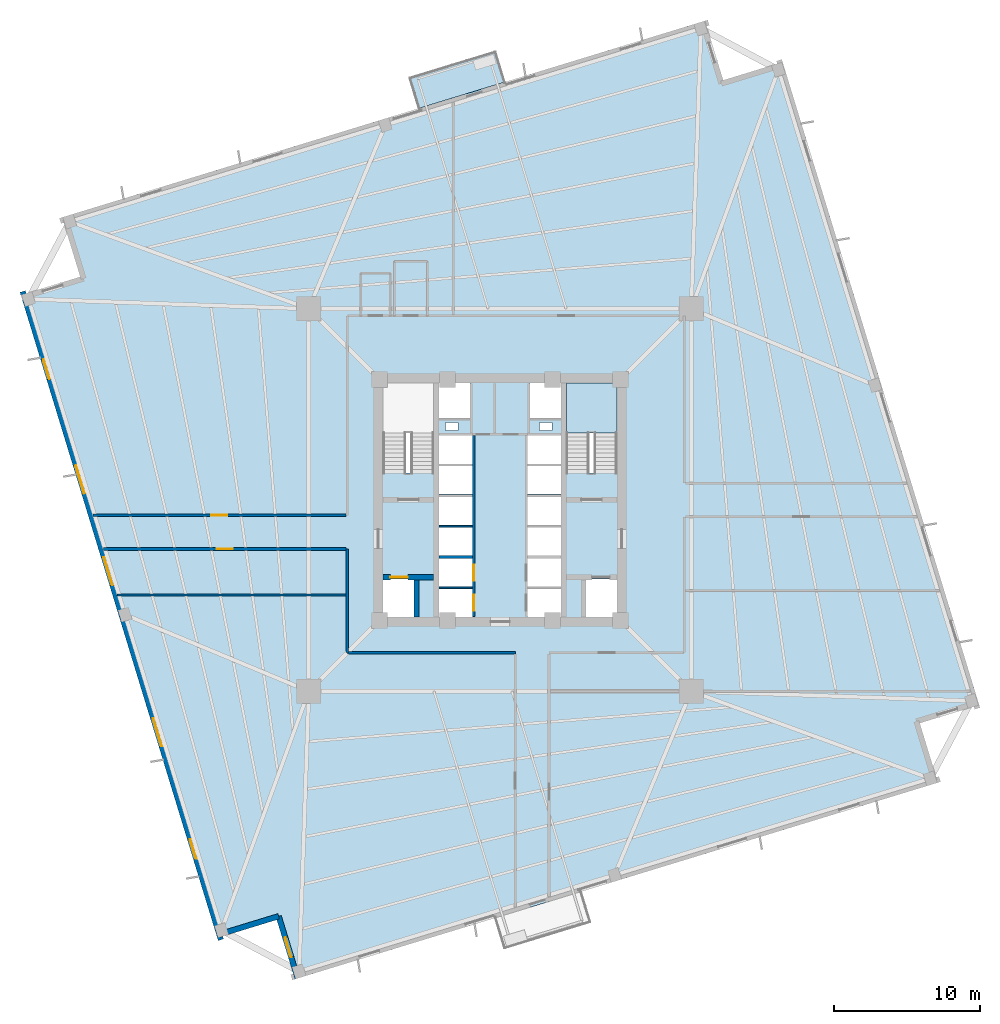
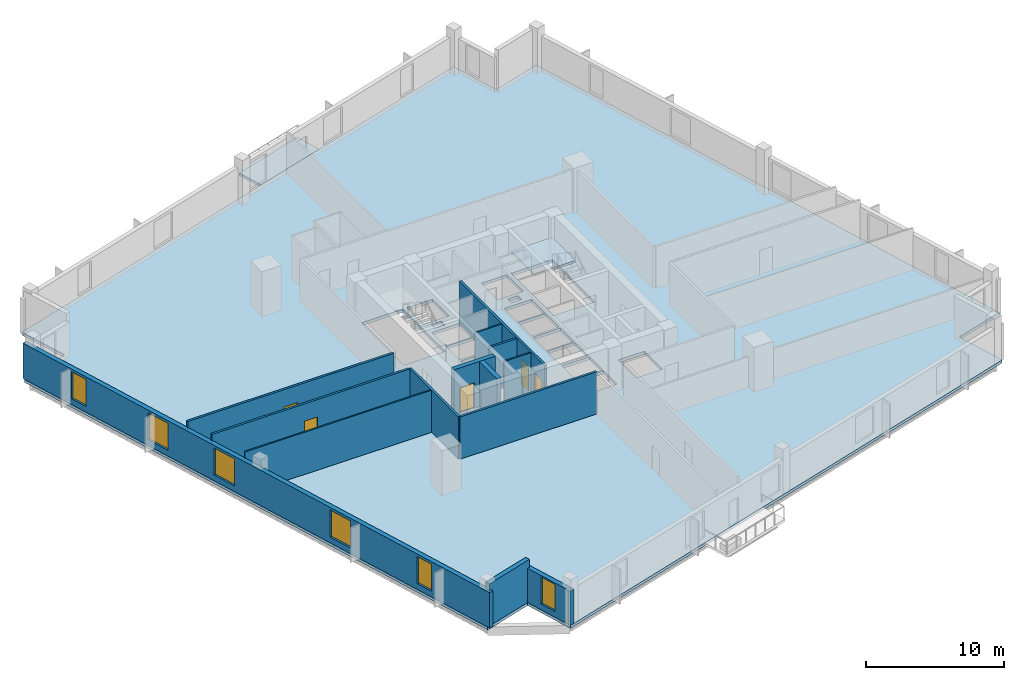
# One storey, part 2 of 8: 14 walls, 6 windows, 5 doors, 3 slabs, 11 openings, 1 element without a shape of its own.
"""IFC4 building model written with IfcOpenShell, lengths in metres."""

from ifc_helpers import new_model, si_unit, direction, frame, frame_2d, origin, place, context, subcontext, project, spatial, polyline, rectangle, outline, extrude, source, transform, mapped, material, layer, layer_set, type_object, element, fill, aggregate, save


model = new_model("IFC4")

# Units and contexts
model_context = context("Model", 3, precision=1e-05, world=origin(), true_north=direction((0.0, 1.0)))
body_context = subcontext(model_context, "Body", "Model", "MODEL_VIEW")
ifc_project = project(units=[si_unit("LENGTHUNIT", "METRE"), si_unit("AREAUNIT", "SQUARE_METRE"), si_unit("VOLUMEUNIT", "CUBIC_METRE"), si_unit("PLANEANGLEUNIT", "RADIAN"), si_unit("MASSUNIT", "GRAM", prefix="KILO"), si_unit("THERMODYNAMICTEMPERATUREUNIT", "KELVIN")], contexts=[model_context])

# Site, building, storey
site_placement = place(None, origin())
site = spatial("IfcSite", under=ifc_project, at=site_placement, CompositionType="ELEMENT")
building_placement = place(site_placement, origin())
building = spatial("IfcBuilding", under=site, at=building_placement, Name="Kosmvard Interchange Tower", CompositionType="ELEMENT")
storey_placement = place(building_placement, frame((0.0, 0.0, 103.199951171875)))
storey = spatial("IfcBuildingStorey", under=building, at=storey_placement, Name="L24", CompositionType="ELEMENT", Elevation=103.199951171875)

# Slab
ifc_material_1 = material(Name="Concrete C50/60", Category="concrete")
ifc_layer_1 = layer(ifc_material_1, 0.260009765625, Name="Concrete C50/60")
ifc_layer_set_1 = layer_set([ifc_layer_1], Name="Concrete C50/60")
slab_type_1 = type_object("IfcSlabType", Name="Mid-Rise Office Composite Slab 260 C50/60", PredefinedType="FLOOR", material=ifc_layer_set_1)
slab_1_placement = place(storey_placement, frame((0.0, 0.0, -0.260009765625)))
element("IfcSlab", 1, at=slab_1_placement, inside=storey, type_object=slab_type_1, Name="L24 Structural Floor Slab", PredefinedType="FLOOR", context=body_context, shape_type="SweptSolid", body=[
    extrude(outline(polyline([(-14.02783203125, -32.783935546875), (29.962158203125, -19.334716796875), (28.719482421875, -15.2705078125), (32.783935546875, -14.02783203125), (19.334716796875, 29.962158203125), (15.2705078125, 28.719482421875), (14.02783203125, 32.783935546875), (-29.962158203125, 19.334716796875), (-28.719482421875, 15.2705078125), (-32.783935546875, 14.02783203125), (-19.334716796875, -29.962158203125), (-15.2705078125, -28.719482421875), (-14.02783203125, -32.783935546875)]), holes=[polyline([(-8.0, 1.8349609375), (-4.5400390625, 1.8349609375), (-4.5400390625, 8.0), (-8.0, 8.0), (-8.0, 1.8349609375)]), polyline([(4.5400390625, 1.8349609375), (8.0, 1.8349609375), (8.0, 8.0), (4.5400390625, 8.0), (4.5400390625, 1.8349609375)]), polyline([(-8.0, -8.0), (-5.800048828125, -8.0), (-5.800048828125, -5.39990234375), (-8.0, -5.39990234375), (-8.0, -8.0)]), polyline([(5.800048828125, -8.0), (8.0, -8.0), (8.0, -5.39990234375), (5.800048828125, -5.39990234375), (5.800048828125, -8.0)]), polyline([(-4.179931640625, -8.0), (-1.8798828125, -8.0), (-1.8798828125, -6.06005859375), (-4.179931640625, -6.06005859375), (-4.179931640625, -8.0)]), polyline([(-4.179931640625, -5.93994140625), (-1.8798828125, -5.93994140625), (-1.8798828125, -4.0), (-4.179931640625, -4.0), (-4.179931640625, -5.93994140625)]), polyline([(1.8798828125, -8.0), (4.179931640625, -8.0), (4.179931640625, -6.06005859375), (1.8798828125, -6.06005859375), (1.8798828125, -8.0)]), polyline([(1.8798828125, -5.93994140625), (4.179931640625, -5.93994140625), (4.179931640625, -4.0), (1.8798828125, -4.0), (1.8798828125, -5.93994140625)]), polyline([(-4.179931640625, -3.800048828125), (-1.8798828125, -3.800048828125), (-1.8798828125, -1.860107421875), (-4.179931640625, -1.860107421875), (-4.179931640625, -3.800048828125)]), polyline([(-4.179931640625, -1.739990234375), (-1.8798828125, -1.739990234375), (-1.8798828125, 0.199951171875), (-4.179931640625, 0.199951171875), (-4.179931640625, -1.739990234375)]), polyline([(1.8798828125, -3.800048828125), (4.179931640625, -3.800048828125), (4.179931640625, -1.860107421875), (1.8798828125, -1.860107421875), (1.8798828125, -3.800048828125)]), polyline([(1.8798828125, -1.739990234375), (4.179931640625, -1.739990234375), (4.179931640625, 0.199951171875), (1.8798828125, 0.199951171875), (1.8798828125, -1.739990234375)]), polyline([(-4.179931640625, 0.39990234375), (-1.8798828125, 0.39990234375), (-1.8798828125, 2.340087890625), (-4.179931640625, 2.340087890625), (-4.179931640625, 0.39990234375)]), polyline([(-4.179931640625, 2.4599609375), (-1.8798828125, 2.4599609375), (-1.8798828125, 4.39990234375), (-4.179931640625, 4.39990234375), (-4.179931640625, 2.4599609375)]), polyline([(1.8798828125, 0.39990234375), (4.179931640625, 0.39990234375), (4.179931640625, 2.340087890625), (1.8798828125, 2.340087890625), (1.8798828125, 0.39990234375)]), polyline([(1.8798828125, 2.4599609375), (4.179931640625, 2.4599609375), (4.179931640625, 4.39990234375), (1.8798828125, 4.39990234375), (1.8798828125, 2.4599609375)]), polyline([(-4.179931640625, 5.60009765625), (-2.0400390625, 5.60009765625), (-2.0400390625, 8.0), (-4.179931640625, 8.0), (-4.179931640625, 5.60009765625)]), polyline([(2.0400390625, 5.60009765625), (4.179931640625, 5.60009765625), (4.179931640625, 8.0), (2.0400390625, 8.0), (2.0400390625, 5.60009765625)]), polyline([(-3.715087890625, 4.739990234375), (-2.864990234375, 4.739990234375), (-2.864990234375, 5.2900390625), (-3.715087890625, 5.2900390625), (-3.715087890625, 4.739990234375)]), polyline([(2.715087890625, 4.739990234375), (3.56494140625, 4.739990234375), (3.56494140625, 5.2900390625), (2.715087890625, 5.2900390625), (2.715087890625, 4.739990234375)])]), origin(), (0.0, 0.0, 1.0), 0.260009765625),
])

# Stair, slab
stair_type = type_object("IfcStairType", Name="Dog-Leg Core Exit Stair H4000 C50/60", PredefinedType="HALF_TURN_STAIR", material=ifc_material_1)
stair_placement = place(storey_placement, origin())
stair = element("IfcStair", 2, at=stair_placement, inside=storey, type_object=stair_type, Name="L24 Protected Exit Stair ST-2", PredefinedType="HALF_TURN_STAIR")
ifc_layer_2 = layer(ifc_material_1, 0.199951171875, Name="Concrete C50/60")
ifc_layer_set_2 = layer_set([ifc_layer_2], Name="Concrete C50/60")
slab_type_2 = type_object("IfcSlabType", Name="Stair Half-Landing Slab 200 C50/60", PredefinedType="LANDING", material=ifc_layer_set_2)
slab_2_placement = place(storey_placement, frame((0.0, 0.0, 1.800048828125)))
slab_2 = element("IfcSlab", 3, at=slab_2_placement, type_object=slab_type_2, Name="ST-2 landing 1", PredefinedType="LANDING", context=body_context, shape_type="SweptSolid", body=[
    extrude(outline(polyline([(8.0, 4.60009765625), (8.0, 8.0), (4.5400390625, 8.0), (4.5400390625, 4.60009765625), (8.0, 4.60009765625)])), origin(), (0.0, 0.0, 1.0), 0.199951171875),
])
aggregate(stair, [slab_2])

# Slab
ifc_layer_3 = layer(ifc_material_1, 0.22998046875, Name="Concrete C50/60")
ifc_layer_set_3 = layer_set([ifc_layer_3], Name="Concrete C50/60")
slab_type_3 = type_object("IfcSlabType", Name="Tree-Planter Cantilever Balcony Slab 230 C50/60", PredefinedType="FLOOR", material=ifc_layer_set_3)
slab_3_placement = place(storey_placement, frame((0.0, 0.0, -0.22998046875)))
element("IfcSlab", 4, at=slab_3_placement, inside=storey, type_object=slab_type_3, Name="L24 Outdoor Terrace Balcony Slab BAL-L24-N", PredefinedType="FLOOR", context=body_context, shape_type="SweptSolid", body=[
    extrude(outline(polyline([(-5.576416015625, 26.790283203125), (0.352783203125, 28.60302734375), (-0.29052734375, 30.706787109375), (-6.219482421875, 28.89404296875), (-5.576416015625, 26.790283203125)])), origin(), (0.0, 0.0, 1.0), 0.22998046875),
])

# Wall, openings, doors
ifc_material_2 = material(Name="Fire-rated gypsum partition system")
ifc_layer_4 = layer(ifc_material_2, 0.179931640625, Name="Fire-rated gypsum partition system")
ifc_layer_set_4 = layer_set([ifc_layer_4], Name="Fire-rated gypsum partition system")
wall_type_1 = type_object("IfcWallType", Name="Corridor & Hotel Compartment Partition 180", PredefinedType="PARTITIONING", material=ifc_layer_set_4)
wall_1_placement = place(storey_placement, frame((-1.7900390625, -7.97998046875, 0.0), z_axis=(0.0, 0.0, 1.0), x_axis=(0.0, 1.0, 0.0)))
wall_1 = element("IfcWall", 5, at=wall_1_placement, inside=storey, type_object=wall_type_1, Name="L24 West Lift Bank Front Wall", PredefinedType="PARTITIONING", context=body_context, shape_type="SweptSolid", body=[
    extrude(rectangle(XDim=12.3798828125, YDim=0.179931640625, at=frame_2d((6.18994140625, 0.0))), origin(), (0.0, 0.0, 1.0), 3.739990234375),
])
opening_1_placement = place(wall_1_placement, frame((0.39990234375, 0.0, 0.0)))
opening_1 = element("IfcOpeningElement", 6, at=opening_1_placement, cuts=wall_1, Name="Opening LD-PL-L1-L24", PredefinedType="OPENING", context=body_context, shape_type="SweptSolid", body=[
    extrude(rectangle(XDim=1.10009765625, YDim=2.199951171875, at=frame_2d((0.550048828125, 1.10009765625))), frame((0.0, 0.10009765625, 0.0), z_axis=(0.0, -1.0, 0.0), x_axis=(1.0, 0.0, 0.0)), (0.0, 0.0, 1.0), 0.199951171875),
])
opening_2_placement = place(wall_1_placement, frame((2.4599609375, 0.0, 0.0)))
opening_2 = element("IfcOpeningElement", 7, at=opening_2_placement, cuts=wall_1, Name="Opening LD-PL-L2-L24", PredefinedType="OPENING", context=body_context, shape_type="SweptSolid", body=[
    extrude(rectangle(XDim=1.10009765625, YDim=2.199951171875, at=frame_2d((0.550048828125, 1.10009765625))), frame((0.0, 0.10009765625, 0.0), z_axis=(0.0, -1.0, 0.0), x_axis=(1.0, 0.0, 0.0)), (0.0, 0.0, 1.0), 0.199951171875),
])
ifc_material_3 = material(Name="Brushed stainless steel sliding leaf", Category="steel")
door_type_1 = type_object("IfcDoorType", Name="Passenger Lift Sliding Landing Door 1100x2200 EI60", OperationType="DOUBLE_DOOR_SLIDING", PredefinedType="DOOR", material=ifc_material_3)
shared_shape_1 = source(origin(), body_context, "Body", "SweptSolid", [
    extrude(rectangle(XDim=1.10009765625, YDim=2.199951171875, at=frame_2d((0.550048828125, 1.10009765625))), frame((0.0, 0.02490234375, 0.0), z_axis=(0.0, -1.0, 0.0), x_axis=(1.0, 0.0, 0.0)), (0.0, 0.0, 1.0), 0.050048828125),
])
door_1_placement = place(opening_1_placement, frame((1.10009765625, 0.0, 0.0), z_axis=(0.0, 0.0, 1.0), x_axis=(-1.0, 0.0, 0.0)))
door_1 = element("IfcDoor", 8, at=door_1_placement, inside=storey, type_object=door_type_1, Name="Lift PL-L1 Landing Door L24", OperationType="DOUBLE_DOOR_SLIDING", OverallHeight=2.199951171875, OverallWidth=1.10009765625, PredefinedType="DOOR", context=body_context, shape_type="MappedRepresentation", body=[
    mapped(shared_shape_1, transform((0.0, 0.0, 0.0), scale=1.0)),
])
fill(opening_1, door_1)
door_2_placement = place(opening_2_placement, frame((1.10009765625, 0.0, 0.0), z_axis=(0.0, 0.0, 1.0), x_axis=(-1.0, 0.0, 0.0)))
door_2 = element("IfcDoor", 9, at=door_2_placement, inside=storey, type_object=door_type_1, Name="Lift PL-L2 Landing Door L24", OperationType="DOUBLE_DOOR_SLIDING", OverallHeight=2.199951171875, OverallWidth=1.10009765625, PredefinedType="DOOR", context=body_context, shape_type="MappedRepresentation", body=[
    mapped(shared_shape_1, transform((0.0, 0.0, 0.0), scale=1.0)),
])
fill(opening_2, door_2)

# Walls
wall_2_placement = place(storey_placement, frame((-10.449951171875, -10.449951171875, 0.0), z_axis=(0.0, 0.0, 1.0), x_axis=(1.0, 0.0, 0.0)))
element("IfcWall", 10, at=wall_2_placement, inside=storey, type_object=wall_type_1, Name="L24 Corridor Wall CSW", PredefinedType="PARTITIONING", context=body_context, shape_type="SweptSolid", body=[
    extrude(rectangle(XDim=11.5, YDim=0.179931640625, at=frame_2d((5.75, 0.0))), origin(), (0.0, 0.0, 1.0), 3.739990234375),
])
wall_3_placement = place(storey_placement, frame((-10.449951171875, -10.449951171875, 0.0), z_axis=(0.0, 0.0, 1.0), x_axis=(0.0, 1.0, 0.0)))
element("IfcWall", 11, at=wall_3_placement, inside=storey, type_object=wall_type_1, Name="L24 Corridor Wall CWS", PredefinedType="PARTITIONING", context=body_context, shape_type="SweptSolid", body=[
    extrude(rectangle(XDim=7.099853515625, YDim=0.179931640625, at=frame_2d((3.5498046875, 0.0))), origin(), (0.0, 0.0, 1.0), 3.739990234375),
])

# Wall, opening, door
wall_4_placement = place(storey_placement, frame((-27.1416015625, -3.35009765625, 0.0), z_axis=(0.0, 0.0, 1.0), x_axis=(1.0, 0.0, 0.0)))
wall_4 = element("IfcWall", 12, at=wall_4_placement, inside=storey, type_object=wall_type_1, Name="L24 Corridor Wall SWS", PredefinedType="PARTITIONING", context=body_context, shape_type="SweptSolid", body=[
    extrude(rectangle(XDim=16.591552734375, YDim=0.179931640625, at=frame_2d((8.2958984375, 0.0))), origin(), (0.0, 0.0, 1.0), 3.739990234375),
])
opening_3_placement = place(wall_4_placement, frame((7.745849609375, 0.0, 0.0)))
opening_3 = element("IfcOpeningElement", 13, at=opening_3_placement, cuts=wall_4, Name="Opening L24-D08", PredefinedType="OPENING", context=body_context, shape_type="SweptSolid", body=[
    extrude(rectangle(XDim=1.10009765625, YDim=2.199951171875, at=frame_2d((0.550048828125, 1.10009765625))), frame((0.0, 0.10009765625, 0.0), z_axis=(0.0, -1.0, 0.0), x_axis=(1.0, 0.0, 0.0)), (0.0, 0.0, 1.0), 0.199951171875),
])
ifc_material_4 = material(Name="Engineered oak fire-rated timber", Category="wood")
door_type_2 = type_object("IfcDoorType", Name="Office Suite Entrance Door 1100x2200 FD30S", OperationType="NOTDEFINED", PredefinedType="DOOR", material=ifc_material_4)
door_3_placement = place(opening_3_placement, frame((1.10009765625, 0.0, 0.0), z_axis=(0.0, 0.0, 1.0), x_axis=(-1.0, 0.0, 0.0)))
door_3 = element("IfcDoor", 14, at=door_3_placement, inside=storey, type_object=door_type_2, Name="L24 West Boardroom 4 Door", OperationType="SINGLE_SWING_RIGHT", OverallHeight=2.199951171875, OverallWidth=1.10009765625, PredefinedType="DOOR", context=body_context, shape_type="MappedRepresentation", body=[
    mapped(shared_shape_1, transform((0.0, 0.0, 0.0), scale=1.0)),
])
fill(opening_3, door_3)

wall_5_placement = place(storey_placement, frame((-27.8447265625, -1.050048828125, 0.0), z_axis=(0.0, 0.0, 1.0), x_axis=(1.0, 0.0, 0.0)))
wall_5 = element("IfcWall", 15, at=wall_5_placement, inside=storey, type_object=wall_type_1, Name="L24 Corridor Wall SWN", PredefinedType="PARTITIONING", context=body_context, shape_type="SweptSolid", body=[
    extrude(rectangle(XDim=17.294677734375, YDim=0.179931640625, at=frame_2d((8.6474609375, 0.0))), origin(), (0.0, 0.0, 1.0), 3.739990234375),
])
opening_4_placement = place(wall_5_placement, frame((8.097412109375, 0.0, 0.0)))
opening_4 = element("IfcOpeningElement", 16, at=opening_4_placement, cuts=wall_5, Name="Opening L24-D03", PredefinedType="OPENING", context=body_context, shape_type="SweptSolid", body=[
    extrude(rectangle(XDim=1.10009765625, YDim=2.199951171875, at=frame_2d((0.550048828125, 1.10009765625))), frame((0.0, 0.10009765625, 0.0), z_axis=(0.0, -1.0, 0.0), x_axis=(1.0, 0.0, 0.0)), (0.0, 0.0, 1.0), 0.199951171875),
])
door_4_placement = place(opening_4_placement, origin())
door_4 = element("IfcDoor", 17, at=door_4_placement, inside=storey, type_object=door_type_2, Name="L24 North-West Strategy Conference Room 1 Door", OperationType="SINGLE_SWING_LEFT", OverallHeight=2.199951171875, OverallWidth=1.10009765625, PredefinedType="DOOR", context=body_context, shape_type="MappedRepresentation", body=[
    mapped(shared_shape_1, transform((0.0, 0.0, 0.0), scale=1.0)),
])
fill(opening_4, door_4)

# Wall, openings, windows
ifc_material_5 = material(Name="Precast concrete C45/55", Category="concrete")
ifc_layer_5 = layer(ifc_material_5, 0.3798828125, Name="Precast concrete C45/55")
ifc_layer_set_5 = layer_set([ifc_layer_5], Name="Precast concrete C45/55")
wall_type_2 = type_object("IfcWallType", Name="Lower Tower Precast Pier Wall 380 C45/55", PredefinedType="STANDARD", material=ifc_layer_set_5)
wall_6_placement = place(storey_placement, frame((-32.65771484375, 14.26513671875, 0.0), z_axis=(0.0, 0.0, 1.0), x_axis=(0.292373127906, -0.956304320851, 0.0)))
wall_6 = element("IfcWall", 18, at=wall_6_placement, inside=storey, type_object=wall_type_2, Name="L24 Precast Facade Wall F-W", PredefinedType="STANDARD", context=body_context, shape_type="SweptSolid", body=[
    extrude(rectangle(XDim=46.380126953125, YDim=0.3798828125, at=frame_2d((23.18994140625, 0.0))), origin(), (0.0, 0.0, 1.0), 3.14013671875),
])
opening_5_placement = place(wall_6_placement, frame((4.865478515625, 0.0, 0.510009765625)))
opening_5 = element("IfcOpeningElement", 19, at=opening_5_placement, cuts=wall_6, Name="Opening L24-W16", PredefinedType="OPENING", context=body_context, shape_type="SweptSolid", body=[
    extrude(rectangle(XDim=1.39990234375, YDim=2.39990234375, at=frame_2d((0.699951171875, 1.199951171875))), frame((0.0, 0.199951171875, 0.0), z_axis=(0.0, -1.0, 0.0), x_axis=(1.0, 0.0, 0.0)), (0.0, 0.0, 1.0), 0.39990234375),
])
opening_6_placement = place(wall_6_placement, frame((12.4501953125, 0.0, 0.510009765625)))
opening_6 = element("IfcOpeningElement", 20, at=opening_6_placement, cuts=wall_6, Name="Opening L24-W17", PredefinedType="OPENING", context=body_context, shape_type="SweptSolid", body=[
    extrude(rectangle(XDim=2.0, YDim=2.39990234375, at=frame_2d((1.0, 1.199951171875))), frame((0.0, 0.199951171875, 0.0), z_axis=(0.0, -1.0, 0.0), x_axis=(1.0, 0.0, 0.0)), (0.0, 0.0, 1.0), 0.39990234375),
])
opening_7_placement = place(wall_6_placement, frame((19.012451171875, 0.0, 0.510009765625)))
opening_7 = element("IfcOpeningElement", 21, at=opening_7_placement, cuts=wall_6, Name="Opening L24-W18", PredefinedType="OPENING", context=body_context, shape_type="SweptSolid", body=[
    extrude(rectangle(XDim=2.0, YDim=2.39990234375, at=frame_2d((1.0, 1.199951171875))), frame((0.0, 0.199951171875, 0.0), z_axis=(0.0, -1.0, 0.0), x_axis=(1.0, 0.0, 0.0)), (0.0, 0.0, 1.0), 0.39990234375),
])
opening_8_placement = place(wall_6_placement, frame((30.538330078125, 0.0, 0.510009765625)))
opening_8 = element("IfcOpeningElement", 22, at=opening_8_placement, cuts=wall_6, Name="Opening L24-W19", PredefinedType="OPENING", context=body_context, shape_type="SweptSolid", body=[
    extrude(rectangle(XDim=2.0, YDim=2.39990234375, at=frame_2d((1.0, 1.199951171875))), frame((0.0, 0.199951171875, 0.0), z_axis=(0.0, -1.0, 0.0), x_axis=(1.0, 0.0, 0.0)), (0.0, 0.0, 1.0), 0.39990234375),
])
opening_9_placement = place(wall_6_placement, frame((39.186767578125, 0.0, 0.510009765625)))
opening_9 = element("IfcOpeningElement", 23, at=opening_9_placement, cuts=wall_6, Name="Opening L24-W20", PredefinedType="OPENING", context=body_context, shape_type="SweptSolid", body=[
    extrude(rectangle(XDim=1.39990234375, YDim=2.39990234375, at=frame_2d((0.699951171875, 1.199951171875))), frame((0.0, 0.199951171875, 0.0), z_axis=(0.0, -1.0, 0.0), x_axis=(1.0, 0.0, 0.0)), (0.0, 0.0, 1.0), 0.39990234375),
])
ifc_material_6 = material(Name="Low-E solar-control double glazing", Category="glass")
window_type_1 = type_object("IfcWindowType", Name="Notched Corner Feature Window 1400x2400", PartitioningType="SINGLE_PANEL", PredefinedType="WINDOW", material=ifc_material_6)
shared_shape_2 = source(origin(), body_context, "Body", "SweptSolid", [
    extrude(rectangle(XDim=1.39990234375, YDim=2.39990234375, at=frame_2d((0.699951171875, 1.199951171875))), frame((0.0, 0.030029296875, 0.0), z_axis=(0.0, -1.0, 0.0), x_axis=(1.0, 0.0, 0.0)), (0.0, 0.0, 1.0), 0.06005859375),
])
window_1_placement = place(opening_5_placement, origin())
window_1 = element("IfcWindow", 24, at=window_1_placement, inside=storey, type_object=window_type_1, Name="L24 Facade Punched Window 16", OverallHeight=2.39990234375, OverallWidth=1.39990234375, PartitioningType="SINGLE_PANEL", PredefinedType="WINDOW", context=body_context, shape_type="MappedRepresentation", body=[
    mapped(shared_shape_2, transform((0.0, 0.0, 0.0), scale=1.0)),
])
fill(opening_5, window_1)
window_2_placement = place(opening_9_placement, origin())
window_2 = element("IfcWindow", 25, at=window_2_placement, inside=storey, type_object=window_type_1, Name="L24 Facade Punched Window 20", OverallHeight=2.39990234375, OverallWidth=1.39990234375, PartitioningType="SINGLE_PANEL", PredefinedType="WINDOW", context=body_context, shape_type="MappedRepresentation", body=[
    mapped(shared_shape_2, transform((0.0, 0.0, 0.0), scale=1.0)),
])
fill(opening_9, window_2)
window_type_2 = type_object("IfcWindowType", Name="Zone 2 Office Punched Window 2000x2400", PartitioningType="SINGLE_PANEL", PredefinedType="WINDOW", material=ifc_material_6)
shared_shape_3 = source(origin(), body_context, "Body", "SweptSolid", [
    extrude(rectangle(XDim=2.0, YDim=2.39990234375, at=frame_2d((1.0, 1.199951171875))), frame((0.0, 0.030029296875, 0.0), z_axis=(0.0, -1.0, 0.0), x_axis=(1.0, 0.0, 0.0)), (0.0, 0.0, 1.0), 0.06005859375),
])
window_3_placement = place(opening_6_placement, origin())
window_3 = element("IfcWindow", 26, at=window_3_placement, inside=storey, type_object=window_type_2, Name="L24 Facade Punched Window 17", OverallHeight=2.39990234375, OverallWidth=2.0, PartitioningType="SINGLE_PANEL", PredefinedType="WINDOW", context=body_context, shape_type="MappedRepresentation", body=[
    mapped(shared_shape_3, transform((0.0, 0.0, 0.0), scale=1.0)),
])
fill(opening_6, window_3)
window_4_placement = place(opening_7_placement, origin())
window_4 = element("IfcWindow", 27, at=window_4_placement, inside=storey, type_object=window_type_2, Name="L24 Facade Punched Window 18", OverallHeight=2.39990234375, OverallWidth=2.0, PartitioningType="SINGLE_PANEL", PredefinedType="WINDOW", context=body_context, shape_type="MappedRepresentation", body=[
    mapped(shared_shape_3, transform((0.0, 0.0, 0.0), scale=1.0)),
])
fill(opening_7, window_4)
window_5_placement = place(opening_8_placement, origin())
window_5 = element("IfcWindow", 28, at=window_5_placement, inside=storey, type_object=window_type_2, Name="L24 Facade Punched Window 19", OverallHeight=2.39990234375, OverallWidth=2.0, PartitioningType="SINGLE_PANEL", PredefinedType="WINDOW", context=body_context, shape_type="MappedRepresentation", body=[
    mapped(shared_shape_3, transform((0.0, 0.0, 0.0), scale=1.0)),
])
fill(opening_8, window_5)

# Wall
wall_7_placement = place(storey_placement, frame((-19.20849609375, -29.724853515625, 0.0), z_axis=(0.0, 0.0, 1.0), x_axis=(0.956312764915, 0.292345507338, 0.0)))
element("IfcWall", 29, at=wall_7_placement, inside=storey, type_object=wall_type_2, Name="L24 Precast Facade Wall N-SW1", PredefinedType="STANDARD", context=body_context, shape_type="SweptSolid", body=[
    extrude(rectangle(XDim=4.249755859375, YDim=0.3798828125, at=frame_2d((2.125, 0.0))), origin(), (0.0, 0.0, 1.0), 3.739990234375),
])

# Wall, opening, window
wall_8_placement = place(storey_placement, frame((-15.144287109375, -28.482421875, 0.0), z_axis=(0.0, 0.0, 1.0), x_axis=(0.292373601522, -0.956304176051, 0.0)))
wall_8 = element("IfcWall", 30, at=wall_8_placement, inside=storey, type_object=wall_type_2, Name="L24 Precast Facade Wall N-SW2", PredefinedType="STANDARD", context=body_context, shape_type="SweptSolid", body=[
    extrude(rectangle(XDim=4.43994140625, YDim=0.3798828125, at=frame_2d((2.219970703125, 0.0))), origin(), (0.0, 0.0, 1.0), 3.0400390625),
])
opening_10_placement = place(wall_8_placement, frame((1.52001953125, 0.0, 0.510009765625)))
opening_10 = element("IfcOpeningElement", 31, at=opening_10_placement, cuts=wall_8, Name="Opening L24-W24", PredefinedType="OPENING", context=body_context, shape_type="SweptSolid", body=[
    extrude(rectangle(XDim=1.39990234375, YDim=2.39990234375, at=frame_2d((0.699951171875, 1.199951171875))), frame((0.0, 0.199951171875, 0.0), z_axis=(0.0, -1.0, 0.0), x_axis=(1.0, 0.0, 0.0)), (0.0, 0.0, 1.0), 0.39990234375),
])
window_6_placement = place(opening_10_placement, origin())
window_6 = element("IfcWindow", 32, at=window_6_placement, inside=storey, type_object=window_type_1, Name="L24 Corner Notch Window 24", OverallHeight=2.39990234375, OverallWidth=1.39990234375, PartitioningType="SINGLE_PANEL", PredefinedType="WINDOW", context=body_context, shape_type="MappedRepresentation", body=[
    mapped(shared_shape_2, transform((0.0, 0.0, 0.0), scale=1.0)),
])
fill(opening_10, window_6)

# Walls
ifc_material_7 = material(Name="Gypsum board partition system")
ifc_layer_6 = layer(ifc_material_7, 0.1201171875, Name="Gypsum board partition system")
ifc_layer_set_6 = layer_set([ifc_layer_6], Name="Gypsum board partition system")
wall_type_3 = type_object("IfcWallType", Name="Office Cellular Partition 120", PredefinedType="PARTITIONING", material=ifc_layer_set_6)
wall_9_placement = place(storey_placement, frame((-26.178466796875, -6.5, 0.0), z_axis=(0.0, 0.0, 1.0), x_axis=(1.0, 0.0, 0.0)))
element("IfcWall", 33, at=wall_9_placement, inside=storey, type_object=wall_type_3, Name="L24 Room Partition 04.1", PredefinedType="PARTITIONING", context=body_context, shape_type="SweptSolid", body=[
    extrude(rectangle(XDim=15.633544921875, YDim=0.1201171875, at=frame_2d((7.81689453125, 0.0))), origin(), (0.0, 0.0, 1.0), 3.739990234375),
])
ifc_material_8 = material(Name="Concrete blockwork masonry", Category="masonry")
ifc_layer_7 = layer(ifc_material_8, 0.179931640625, Name="Concrete blockwork masonry")
ifc_layer_set_7 = layer_set([ifc_layer_7], Name="Concrete blockwork masonry")
wall_type_4 = type_object("IfcWallType", Name="Riser & Lift Bank Divider Wall 180", PredefinedType="PARTITIONING", material=ifc_layer_set_7)
wall_10_placement = place(storey_placement, frame((-4.169921875, -3.89990234375, 0.0), z_axis=(0.0, 0.0, 1.0), x_axis=(1.0, 0.0, 0.0)))
element("IfcWall", 34, at=wall_10_placement, inside=storey, type_object=wall_type_4, Name="L24 West Bank Divider BD1", PredefinedType="PARTITIONING", context=body_context, shape_type="SweptSolid", body=[
    extrude(rectangle(XDim=2.280029296875, YDim=0.179931640625, at=frame_2d((1.14013671875, 0.0))), origin(), (0.0, 0.0, 1.0), 3.739990234375),
])
ifc_material_9 = material(Name="Fire-rated gypsum shaftwall system")
ifc_layer_8 = layer(ifc_material_9, 0.1201171875, Name="Fire-rated gypsum shaftwall system")
ifc_layer_set_8 = layer_set([ifc_layer_8], Name="Fire-rated gypsum shaftwall system")
wall_type_5 = type_object("IfcWallType", Name="Shaft & Riser Fire Partition 120 EI60", PredefinedType="PARTITIONING", material=ifc_layer_set_8)
for number, where, z_axis, x_axis, name in (
    (35, (-4.159912109375, -6.0, 0.0), (0.0, 0.0, 1.0), (1.0, 0.0, 0.0), "L24 Shaft Divider PL-L1"),
    (36, (-4.159912109375, -1.800048828125, 0.0), (0.0, 0.0, 1.0), (1.0, 0.0, 0.0), "L24 Shaft Divider PL-M1"),
):
    element("IfcWall", number, at=place(storey_placement, frame(where, z_axis=z_axis, x_axis=x_axis)), inside=storey, type_object=wall_type_5, Name=name, PredefinedType="PARTITIONING", context=body_context, shape_type="SweptSolid", body=[
        extrude(rectangle(XDim=2.260009765625, YDim=0.1201171875, at=frame_2d((1.1298828125, 0.0))), origin(), (0.0, 0.0, 1.0), 3.739990234375),
    ])

# Wall, opening, door
ifc_material_10 = material(Name="Concrete C60/75", Category="concrete")
ifc_layer_9 = layer(ifc_material_10, 0.360107421875, Name="Concrete C60/75")
ifc_layer_set_9 = layer_set([ifc_layer_9], Name="Concrete C60/75")
wall_type_6 = type_object("IfcWallType", Name="Stair & Lift Shaft Shear Wall 360 C60/75", PredefinedType="SHEAR", material=ifc_layer_set_9)
wall_11_placement = place(storey_placement, frame((-8.0, -5.280029296875, 0.0), z_axis=(0.0, 0.0, 1.0), x_axis=(1.0, 0.0, 0.0)))
wall_11 = element("IfcWall", 37, at=wall_11_placement, inside=storey, type_object=wall_type_6, Name="L24 Shaft Shear Wall SW-FF1", PredefinedType="SHEAR", context=body_context, shape_type="SweptSolid", body=[
    extrude(rectangle(XDim=3.4599609375, YDim=0.360107421875, at=frame_2d((1.72998046875, 0.0))), origin(), (0.0, 0.0, 1.0), 4.0),
])
opening_11_placement = place(wall_11_placement, frame((0.5, 0.0, 0.0)))
opening_11 = element("IfcOpeningElement", 38, at=opening_11_placement, cuts=wall_11, Name="Opening LD-FF-1-L24", PredefinedType="OPENING", context=body_context, shape_type="SweptSolid", body=[
    extrude(rectangle(XDim=1.199951171875, YDim=2.25, at=frame_2d((0.60009765625, 1.125))), frame((0.0, 0.18994140625, 0.0), z_axis=(0.0, -1.0, 0.0), x_axis=(1.0, 0.0, 0.0)), (0.0, 0.0, 1.0), 0.380126953125),
])
door_type_3 = type_object("IfcDoorType", Name="Firefighting Lift Sliding Landing Door 1200x2250 EI120", OperationType="DOUBLE_DOOR_SLIDING", PredefinedType="DOOR", material=ifc_material_3)
shared_shape_4 = source(origin(), body_context, "Body", "SweptSolid", [
    extrude(rectangle(XDim=1.199951171875, YDim=2.25, at=frame_2d((0.60009765625, 1.125))), frame((0.0, 0.02490234375, 0.0), z_axis=(0.0, -1.0, 0.0), x_axis=(1.0, 0.0, 0.0)), (0.0, 0.0, 1.0), 0.050048828125),
])
door_5_placement = place(opening_11_placement, origin())
door_5 = element("IfcDoor", 39, at=door_5_placement, inside=storey, type_object=door_type_3, Name="Lift FF-1 Landing Door L24", OperationType="DOUBLE_DOOR_SLIDING", OverallHeight=2.25, OverallWidth=1.199951171875, PredefinedType="DOOR", context=body_context, shape_type="MappedRepresentation", body=[
    mapped(shared_shape_4, transform((0.0, 0.0, 0.0), scale=1.0)),
])
fill(opening_11, door_5)

# Wall
wall_12_placement = place(storey_placement, frame((-5.7099609375, -8.0, 0.0), z_axis=(0.0, 0.0, 1.0), x_axis=(0.0, 1.0, 0.0)))
element("IfcWall", 40, at=wall_12_placement, inside=storey, type_object=wall_type_6, Name="L24 Shaft Shear Wall SW-SM1", PredefinedType="SHEAR", context=body_context, shape_type="SweptSolid", body=[
    extrude(rectangle(XDim=2.5400390625, YDim=0.360107421875, at=frame_2d((1.27001953125, 0.0))), origin(), (0.0, 0.0, 1.0), 4.0),
])

save(model, "model.ifc")
